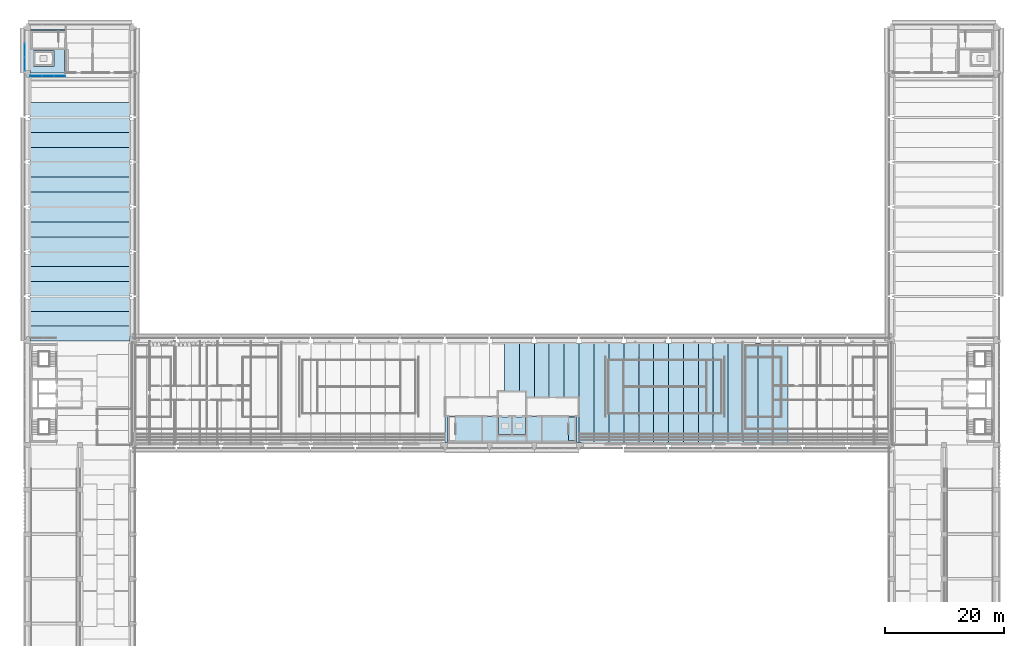
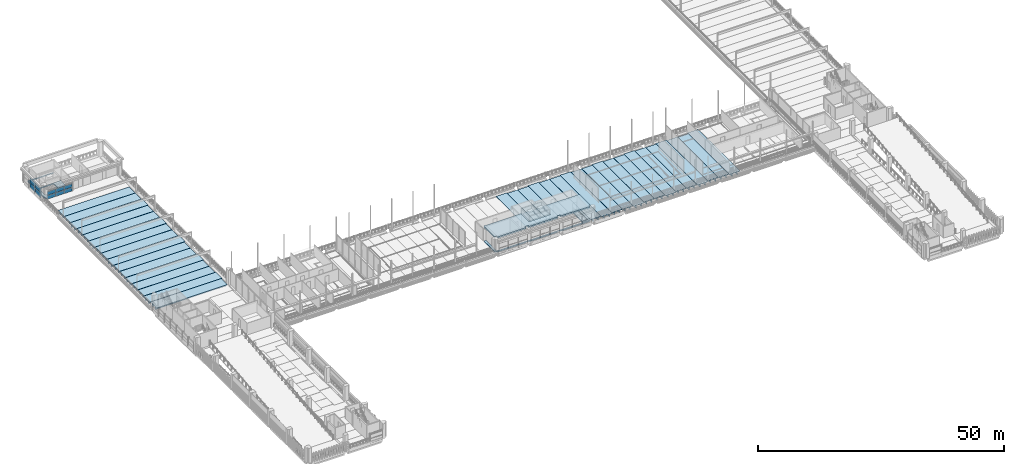
# One storey, part 36 of 62: 41 slabs, 10 plates, 2 elements without a shape of their own.
"""IFC4 building model written with IfcOpenShell, lengths in metres."""

from ifc_helpers import new_model, si_unit, direction, frame, origin, origin_2d, place, context, subcontext, project, spatial, polyline, rectangle, outline, extrude, material, layer, layer_set, material_profile, profile_set, type_object, element, aggregate, save


model = new_model("IFC4")

# Units and contexts
model_context = context("Model", 3, precision=1e-05, world=origin(), true_north=direction((0.0, 1.0)))
body_context = subcontext(model_context, "Body", "Model", "MODEL_VIEW")
ifc_project = project(units=[si_unit("LENGTHUNIT", "METRE"), si_unit("AREAUNIT", "SQUARE_METRE"), si_unit("VOLUMEUNIT", "CUBIC_METRE"), si_unit("PLANEANGLEUNIT", "RADIAN"), si_unit("MASSUNIT", "GRAM", prefix="KILO")], contexts=[model_context])

# Site, building, storey
site_placement = place(None, origin())
site = spatial("IfcSite", under=ifc_project, at=site_placement, CompositionType="ELEMENT")
building_placement = place(site_placement, origin())
building = spatial("IfcBuilding", under=site, at=building_placement, Name="Cour d'Honneur Mobility Palace", CompositionType="ELEMENT")
storey_placement = place(building_placement, frame((0.0, 0.0, 19.300048828125)))
storey = spatial("IfcBuildingStorey", under=building, at=storey_placement, Name="L05", CompositionType="ELEMENT", Elevation=19.300048828125)

# Slabs
ifc_material_1 = material(Name="Concrete C50", Category="concrete")
ifc_layer_1 = layer(ifc_material_1, 0.25)
ifc_layer_set_1 = layer_set([ifc_layer_1], Name="Concrete C50")
slab_type_1 = type_object("IfcSlabType", Name="Cast-in-place Slab 250", PredefinedType="FLOOR", material=ifc_layer_set_1)
slab_1_placement = place(storey_placement, frame((0.0, 0.0, -0.25)))
element("IfcSlab", 1, at=slab_1_placement, inside=storey, type_object=slab_type_1, Name="Cast-in-place slab S1 L05 core", PredefinedType="FLOOR", context=body_context, shape_type="SweptSolid", body=[
    extrude(outline(polyline([(0.449951171875, 114.449951171875), (0.449951171875, 111.27490234375), (6.10009765625, 111.27490234375), (6.10009765625, 107.39990234375), (0.39990234375, 107.39990234375), (0.39990234375, 107.800048828125), (0.199951171875, 107.800048828125), (0.199951171875, 114.5), (0.39990234375, 114.5), (0.39990234375, 114.625), (6.300048828125, 114.625), (6.300048828125, 114.449951171875), (0.449951171875, 114.449951171875)]), holes=[polyline([(0.875, 111.125), (0.875, 108.47509765625), (4.324951171875, 108.47509765625), (4.324951171875, 111.125), (0.875, 111.125)])]), origin(), (0.0, 0.0, 1.0), 0.25),
])
slab_2_placement = place(storey_placement, frame((0.0, 0.0, -0.25)))
element("IfcSlab", 2, at=slab_2_placement, inside=storey, type_object=slab_type_1, Name="Cast-in-place slab S1 L05 core", PredefinedType="FLOOR", context=body_context, shape_type="SweptSolid", body=[
    extrude(outline(polyline([(92.0, 45.39990234375), (92.0, 45.199951171875), (85.300048828125, 45.199951171875), (85.300048828125, 45.39990234375), (84.5, 45.39990234375), (84.5, 45.199951171875), (77.800048828125, 45.199951171875), (77.800048828125, 45.39990234375), (77.0, 45.39990234375), (77.0, 45.199951171875), (70.300048828125, 45.199951171875), (70.300048828125, 45.39990234375), (69.89990234375, 45.39990234375), (69.89990234375, 49.800048828125), (70.35009765625, 49.800048828125), (70.35009765625, 45.449951171875), (91.949951171875, 45.449951171875), (91.949951171875, 49.800048828125), (92.39990234375, 49.800048828125), (92.39990234375, 45.39990234375), (92.0, 45.39990234375)])), origin(), (0.0, 0.0, 1.0), 0.25),
])
slab_3_placement = place(storey_placement, frame((0.0, 0.0, -0.25)))
element("IfcSlab", 3, at=slab_3_placement, inside=storey, type_object=slab_type_1, Name="Cast-in-place slab S1 L05 core", PredefinedType="FLOOR", context=body_context, shape_type="SweptSolid", body=[
    extrude(outline(polyline([(91.699951171875, 45.699951171875), (90.625, 45.699951171875), (90.625, 49.675048828125), (91.699951171875, 49.675048828125), (91.699951171875, 45.699951171875)])), origin(), (0.0, 0.0, 1.0), 0.25),
])

# Curtain wall, plates
ifc_material_2 = material(Name="Aluminium and glass", Category="aluminium")
ifc_layer_2 = layer(ifc_material_2, 0.10009765625)
ifc_layer_set_2 = layer_set([ifc_layer_2], Name="Aluminium and glass")
curtain_wall_type = type_object("IfcCurtainWallType", Name="Curtain wall run", PredefinedType="NOTDEFINED", material=ifc_layer_set_2)
curtain_wall_1_placement = place(storey_placement, origin())
curtain_wall_1 = element("IfcCurtainWall", 4, at=curtain_wall_1_placement, inside=storey, type_object=curtain_wall_type, Name="Curtain wall CW-133", PredefinedType="NOTDEFINED")
ifc_material_3 = material(Name="Double glazing", Category="glass")
ifc_layer_3 = layer(ifc_material_3, 0.028076171875)
ifc_layer_set_3 = layer_set([ifc_layer_3], Name="Double glazing")
plate_type = type_object("IfcPlateType", Name="Curtain wall panel", PredefinedType="CURTAIN_PANEL", material=ifc_layer_set_3)
plate_1_placement = place(storey_placement, frame((-0.550048828125, 111.14990234375, 0.06005859375), z_axis=(0.0, 0.0, 1.0), x_axis=(0.0, -1.0, 0.0)))
plate_1 = element("IfcPlate", 5, at=plate_1_placement, type_object=plate_type, Name="CW-133 panel 2.1", PredefinedType="CURTAIN_PANEL", context=body_context, shape_type="SweptSolid", body=[
    extrude(rectangle(XDim=2.239990234375, YDim=0.028076171875, at=origin_2d()), origin(), (0.0, 0.0, 1.0), 1.2099609375),
])
plate_2_placement = place(storey_placement, frame((-0.550048828125, 111.14990234375, 1.330078125), z_axis=(0.0, 0.0, 1.0), x_axis=(0.0, -1.0, 0.0)))
plate_2 = element("IfcPlate", 6, at=plate_2_placement, type_object=plate_type, Name="CW-133 panel 2.2", PredefinedType="CURTAIN_PANEL", context=body_context, shape_type="SweptSolid", body=[
    extrude(rectangle(XDim=2.239990234375, YDim=0.028076171875, at=origin_2d()), origin(), (0.0, 0.0, 1.0), 1.2099609375),
])
plate_3_placement = place(storey_placement, frame((-0.550048828125, 108.864990234375, 0.06005859375), z_axis=(0.0, 0.0, 1.0), x_axis=(0.0, -1.0, 0.0)))
plate_3 = element("IfcPlate", 7, at=plate_3_placement, type_object=plate_type, Name="CW-133 panel 3.1", PredefinedType="CURTAIN_PANEL", context=body_context, shape_type="SweptSolid", body=[
    extrude(rectangle(XDim=2.2099609375, YDim=0.028076171875, at=origin_2d()), origin(), (0.0, 0.0, 1.0), 1.2099609375),
])
plate_4_placement = place(storey_placement, frame((-0.550048828125, 108.864990234375, 1.330078125), z_axis=(0.0, 0.0, 1.0), x_axis=(0.0, -1.0, 0.0)))
plate_4 = element("IfcPlate", 8, at=plate_4_placement, type_object=plate_type, Name="CW-133 panel 3.2", PredefinedType="CURTAIN_PANEL", context=body_context, shape_type="SweptSolid", body=[
    extrude(rectangle(XDim=2.2099609375, YDim=0.028076171875, at=origin_2d()), origin(), (0.0, 0.0, 1.0), 1.2099609375),
])
aggregate(curtain_wall_1, [plate_1, plate_2, plate_3, plate_4])

curtain_wall_2_placement = place(storey_placement, origin())
curtain_wall_2 = element("IfcCurtainWall", 9, at=curtain_wall_2_placement, inside=storey, type_object=curtain_wall_type, Name="Curtain wall CW-134", PredefinedType="NOTDEFINED")
plate_5_placement = place(storey_placement, frame((1.31494140625, 106.85009765625, 0.06005859375), z_axis=(0.0, 0.0, 1.0), x_axis=(1.0, 0.0, 0.0)))
plate_5 = element("IfcPlate", 10, at=plate_5_placement, type_object=plate_type, Name="CW-134 panel 1.1", PredefinedType="CURTAIN_PANEL", context=body_context, shape_type="SweptSolid", body=[
    extrude(rectangle(XDim=1.909912109375, YDim=0.028076171875, at=origin_2d()), origin(), (0.0, 0.0, 1.0), 0.909912109375),
])
plate_6_placement = place(storey_placement, frame((1.31494140625, 106.85009765625, 1.02978515625), z_axis=(0.0, 0.0, 1.0), x_axis=(1.0, 0.0, 0.0)))
plate_6 = element("IfcPlate", 11, at=plate_6_placement, type_object=plate_type, Name="CW-134 panel 1.2", PredefinedType="CURTAIN_PANEL", context=body_context, shape_type="SweptSolid", body=[
    extrude(rectangle(XDim=1.909912109375, YDim=0.028076171875, at=origin_2d()), origin(), (0.0, 0.0, 1.0), 0.909912109375),
])
plate_7_placement = place(storey_placement, frame((3.300048828125, 106.85009765625, 0.06005859375), z_axis=(0.0, 0.0, 1.0), x_axis=(1.0, 0.0, 0.0)))
plate_7 = element("IfcPlate", 12, at=plate_7_placement, type_object=plate_type, Name="CW-134 panel 2.1", PredefinedType="CURTAIN_PANEL", context=body_context, shape_type="SweptSolid", body=[
    extrude(rectangle(XDim=1.93994140625, YDim=0.028076171875, at=origin_2d()), origin(), (0.0, 0.0, 1.0), 0.909912109375),
])
plate_8_placement = place(storey_placement, frame((3.300048828125, 106.85009765625, 1.02978515625), z_axis=(0.0, 0.0, 1.0), x_axis=(1.0, 0.0, 0.0)))
plate_8 = element("IfcPlate", 13, at=plate_8_placement, type_object=plate_type, Name="CW-134 panel 2.2", PredefinedType="CURTAIN_PANEL", context=body_context, shape_type="SweptSolid", body=[
    extrude(rectangle(XDim=1.93994140625, YDim=0.028076171875, at=origin_2d()), origin(), (0.0, 0.0, 1.0), 0.909912109375),
])
plate_9_placement = place(storey_placement, frame((5.284912109375, 106.85009765625, 0.06005859375), z_axis=(0.0, 0.0, 1.0), x_axis=(1.0, 0.0, 0.0)))
plate_9 = element("IfcPlate", 14, at=plate_9_placement, type_object=plate_type, Name="CW-134 panel 3.1", PredefinedType="CURTAIN_PANEL", context=body_context, shape_type="SweptSolid", body=[
    extrude(rectangle(XDim=1.909912109375, YDim=0.028076171875, at=origin_2d()), origin(), (0.0, 0.0, 1.0), 0.909912109375),
])
plate_10_placement = place(storey_placement, frame((5.284912109375, 106.85009765625, 1.02978515625), z_axis=(0.0, 0.0, 1.0), x_axis=(1.0, 0.0, 0.0)))
plate_10 = element("IfcPlate", 15, at=plate_10_placement, type_object=plate_type, Name="CW-134 panel 3.2", PredefinedType="CURTAIN_PANEL", context=body_context, shape_type="SweptSolid", body=[
    extrude(rectangle(XDim=1.909912109375, YDim=0.028076171875, at=origin_2d()), origin(), (0.0, 0.0, 1.0), 0.909912109375),
])
aggregate(curtain_wall_2, [plate_5, plate_6, plate_7, plate_8, plate_9, plate_10])

# Slabs
ifc_material_4 = material(Name="Concrete C45", Category="concrete")
ifc_material_profile_1 = material_profile(ifc_material_4, outline(polyline([(-1.2451171875, 0.0), (1.2451171875, 0.0), (1.2451171875, -0.10009765625), (0.679931640625, -0.10009765625), (0.64990234375, -0.64990234375), (0.550048828125, -0.64990234375), (0.52001953125, -0.10009765625), (-0.52001953125, -0.10009765625), (-0.550048828125, -0.64990234375), (-0.64990234375, -0.64990234375), (-0.679931640625, -0.10009765625), (-1.2451171875, -0.10009765625), (-1.2451171875, 0.0)])), Name="DT 2490x650")
ifc_profile_set_1 = profile_set([ifc_material_profile_1], Name="Concrete C45")
slab_type_2 = type_object("IfcSlabType", Name="DT 2490x650", PredefinedType="FLOOR", material=ifc_profile_set_1)
slab_4_placement = place(storey_placement, frame((81.14990234375, 49.925048828125, 0.0), z_axis=(0.0, 1.0, 0.0), x_axis=(-1.0, 0.0, 0.0)))
element("IfcSlab", 16, at=slab_4_placement, inside=storey, type_object=slab_type_2, Name="Double tee DT-C26 L05", PredefinedType="FLOOR", context=body_context, shape_type="SweptSolid", body=[
    extrude(outline(polyline([(-1.2451171875, 0.0), (1.2451171875, 0.0), (1.2451171875, -0.10009765625), (0.679931640625, -0.10009765625), (0.64990234375, -0.64990234375), (0.550048828125, -0.64990234375), (0.52001953125, -0.10009765625), (-0.52001953125, -0.10009765625), (-0.550048828125, -0.64990234375), (-0.64990234375, -0.64990234375), (-0.679931640625, -0.10009765625), (-1.2451171875, -0.10009765625), (-1.2451171875, 0.0)])), origin(), (0.0, 0.0, 1.0), 12.27490234375),
])
for number, where, z_axis, x_axis, name in (
    (17, (83.64990234375, 49.925048828125, 0.0), (0.0, 1.0, 0.0), (-1.0, 0.0, 0.0), "Double tee DT-C27 L05"),
    (18, (86.14990234375, 49.925048828125, 0.0), (0.0, 1.0, 0.0), (-1.0, 0.0, 0.0), "Double tee DT-C28 L05"),
):
    element("IfcSlab", number, at=place(storey_placement, frame(where, z_axis=z_axis, x_axis=x_axis)), inside=storey, type_object=slab_type_2, Name=name, PredefinedType="FLOOR", context=body_context, shape_type="SweptSolid", body=[
        extrude(outline(polyline([(-1.2451171875, 0.0), (1.2451171875, 0.0), (1.2451171875, -0.10009765625), (0.679931640625, -0.10009765625), (0.64990234375, -0.64990234375), (0.550048828125, -0.64990234375), (0.52001953125, -0.10009765625), (-0.52001953125, -0.10009765625), (-0.550048828125, -0.64990234375), (-0.64990234375, -0.64990234375), (-0.679931640625, -0.10009765625), (-1.2451171875, -0.10009765625), (-1.2451171875, 0.0)])), origin(), (0.0, 0.0, 1.0), 12.074951171875),
    ])
slab_5_placement = place(storey_placement, frame((88.64990234375, 49.925048828125, 0.0), z_axis=(0.0, 1.0, 0.0), x_axis=(-1.0, 0.0, 0.0)))
element("IfcSlab", 19, at=slab_5_placement, inside=storey, type_object=slab_type_2, Name="Double tee DT-C29 L05", PredefinedType="FLOOR", context=body_context, shape_type="SweptSolid", body=[
    extrude(outline(polyline([(-1.2451171875, 0.0), (1.2451171875, 0.0), (1.2451171875, -0.10009765625), (0.679931640625, -0.10009765625), (0.64990234375, -0.64990234375), (0.550048828125, -0.64990234375), (0.52001953125, -0.10009765625), (-0.52001953125, -0.10009765625), (-0.550048828125, -0.64990234375), (-0.64990234375, -0.64990234375), (-0.679931640625, -0.10009765625), (-1.2451171875, -0.10009765625), (-1.2451171875, 0.0)])), origin(), (0.0, 0.0, 1.0), 12.27490234375),
])
slab_6_placement = place(storey_placement, frame((91.14990234375, 49.925048828125, 0.0), z_axis=(0.0, 1.0, 0.0), x_axis=(-1.0, 0.0, 0.0)))
element("IfcSlab", 20, at=slab_6_placement, inside=storey, type_object=slab_type_2, Name="Double tee DT-C30 L05", PredefinedType="FLOOR", context=body_context, shape_type="SweptSolid", body=[
    extrude(outline(polyline([(-1.2451171875, 0.0), (1.2451171875, 0.0), (1.2451171875, -0.10009765625), (0.679931640625, -0.10009765625), (0.64990234375, -0.64990234375), (0.550048828125, -0.64990234375), (0.52001953125, -0.10009765625), (-0.52001953125, -0.10009765625), (-0.550048828125, -0.64990234375), (-0.64990234375, -0.64990234375), (-0.679931640625, -0.10009765625), (-1.2451171875, -0.10009765625), (-1.2451171875, 0.0)])), origin(), (0.0, 0.0, 1.0), 12.074951171875),
])
ifc_material_5 = material(Name="Concrete C45", Category="concrete")
ifc_material_profile_2 = material_profile(ifc_material_5, outline(polyline([(-1.2451171875, 0.0), (1.2451171875, 0.0), (1.2451171875, -0.10009765625), (0.679931640625, -0.10009765625), (0.64990234375, -0.75), (0.550048828125, -0.75), (0.52001953125, -0.10009765625), (-0.52001953125, -0.10009765625), (-0.550048828125, -0.75), (-0.64990234375, -0.75), (-0.679931640625, -0.10009765625), (-1.2451171875, -0.10009765625), (-1.2451171875, 0.0)])), Name="DT 2490x750")
ifc_profile_set_2 = profile_set([ifc_material_profile_2], Name="Concrete C45")
slab_type_3 = type_object("IfcSlabType", Name="DT 2490x750", PredefinedType="FLOOR", material=ifc_profile_set_2)
slab_7_placement = place(storey_placement, frame((0.39990234375, 63.64990234375, 0.0), z_axis=(1.0, 0.0, 0.0), x_axis=(0.0, 1.0, 0.0)))
element("IfcSlab", 21, at=slab_7_placement, inside=storey, type_object=slab_type_3, Name="Double tee DT-NW1 L05", PredefinedType="FLOOR", context=body_context, shape_type="SweptSolid", body=[
    extrude(outline(polyline([(-1.2451171875, 0.0), (1.2451171875, 0.0), (1.2451171875, -0.10009765625), (0.679931640625, -0.10009765625), (0.64990234375, -0.75), (0.550048828125, -0.75), (0.52001953125, -0.10009765625), (-0.52001953125, -0.10009765625), (-0.550048828125, -0.75), (-0.64990234375, -0.75), (-0.679931640625, -0.10009765625), (-1.2451171875, -0.10009765625), (-1.2451171875, 0.0)])), origin(), (0.0, 0.0, 1.0), 16.60009765625),
])
slab_8_placement = place(storey_placement, frame((0.199951171875, 66.14990234375, 0.0), z_axis=(1.0, 0.0, 0.0), x_axis=(0.0, 1.0, 0.0)))
element("IfcSlab", 22, at=slab_8_placement, inside=storey, type_object=slab_type_3, Name="Double tee DT-NW2 L05", PredefinedType="FLOOR", context=body_context, shape_type="SweptSolid", body=[
    extrude(outline(polyline([(-1.2451171875, 0.0), (1.2451171875, 0.0), (1.2451171875, -0.10009765625), (0.679931640625, -0.10009765625), (0.64990234375, -0.75), (0.550048828125, -0.75), (0.52001953125, -0.10009765625), (-0.52001953125, -0.10009765625), (-0.550048828125, -0.75), (-0.64990234375, -0.75), (-0.679931640625, -0.10009765625), (-1.2451171875, -0.10009765625), (-1.2451171875, 0.0)])), origin(), (0.0, 0.0, 1.0), 17.0),
])
for number, where, z_axis, x_axis, name in (
    (23, (0.39990234375, 68.64990234375, 0.0), (1.0, 0.0, 0.0), (0.0, 1.0, 0.0), "Double tee DT-NW3 L05"),
    (24, (0.39990234375, 71.14990234375, 0.0), (1.0, 0.0, 0.0), (0.0, 1.0, 0.0), "Double tee DT-NW4 L05"),
):
    element("IfcSlab", number, at=place(storey_placement, frame(where, z_axis=z_axis, x_axis=x_axis)), inside=storey, type_object=slab_type_3, Name=name, PredefinedType="FLOOR", context=body_context, shape_type="SweptSolid", body=[
        extrude(outline(polyline([(-1.2451171875, 0.0), (1.2451171875, 0.0), (1.2451171875, -0.10009765625), (0.679931640625, -0.10009765625), (0.64990234375, -0.75), (0.550048828125, -0.75), (0.52001953125, -0.10009765625), (-0.52001953125, -0.10009765625), (-0.550048828125, -0.75), (-0.64990234375, -0.75), (-0.679931640625, -0.10009765625), (-1.2451171875, -0.10009765625), (-1.2451171875, 0.0)])), origin(), (0.0, 0.0, 1.0), 16.60009765625),
    ])
slab_9_placement = place(storey_placement, frame((0.199951171875, 73.64990234375, 0.0), z_axis=(1.0, 0.0, 0.0), x_axis=(0.0, 1.0, 0.0)))
element("IfcSlab", 25, at=slab_9_placement, inside=storey, type_object=slab_type_3, Name="Double tee DT-NW5 L05", PredefinedType="FLOOR", context=body_context, shape_type="SweptSolid", body=[
    extrude(outline(polyline([(-1.2451171875, 0.0), (1.2451171875, 0.0), (1.2451171875, -0.10009765625), (0.679931640625, -0.10009765625), (0.64990234375, -0.75), (0.550048828125, -0.75), (0.52001953125, -0.10009765625), (-0.52001953125, -0.10009765625), (-0.550048828125, -0.75), (-0.64990234375, -0.75), (-0.679931640625, -0.10009765625), (-1.2451171875, -0.10009765625), (-1.2451171875, 0.0)])), origin(), (0.0, 0.0, 1.0), 17.0),
])
for number, where, z_axis, x_axis, name in (
    (26, (0.39990234375, 76.14990234375, 0.0), (1.0, 0.0, 0.0), (0.0, 1.0, 0.0), "Double tee DT-NW6 L05"),
    (27, (0.39990234375, 78.64990234375, 0.0), (1.0, 0.0, 0.0), (0.0, 1.0, 0.0), "Double tee DT-NW7 L05"),
):
    element("IfcSlab", number, at=place(storey_placement, frame(where, z_axis=z_axis, x_axis=x_axis)), inside=storey, type_object=slab_type_3, Name=name, PredefinedType="FLOOR", context=body_context, shape_type="SweptSolid", body=[
        extrude(outline(polyline([(-1.2451171875, 0.0), (1.2451171875, 0.0), (1.2451171875, -0.10009765625), (0.679931640625, -0.10009765625), (0.64990234375, -0.75), (0.550048828125, -0.75), (0.52001953125, -0.10009765625), (-0.52001953125, -0.10009765625), (-0.550048828125, -0.75), (-0.64990234375, -0.75), (-0.679931640625, -0.10009765625), (-1.2451171875, -0.10009765625), (-1.2451171875, 0.0)])), origin(), (0.0, 0.0, 1.0), 16.60009765625),
    ])
slab_10_placement = place(storey_placement, frame((0.199951171875, 81.14990234375, 0.0), z_axis=(1.0, 0.0, 0.0), x_axis=(0.0, 1.0, 0.0)))
element("IfcSlab", 28, at=slab_10_placement, inside=storey, type_object=slab_type_3, Name="Double tee DT-NW8 L05", PredefinedType="FLOOR", context=body_context, shape_type="SweptSolid", body=[
    extrude(outline(polyline([(-1.2451171875, 0.0), (1.2451171875, 0.0), (1.2451171875, -0.10009765625), (0.679931640625, -0.10009765625), (0.64990234375, -0.75), (0.550048828125, -0.75), (0.52001953125, -0.10009765625), (-0.52001953125, -0.10009765625), (-0.550048828125, -0.75), (-0.64990234375, -0.75), (-0.679931640625, -0.10009765625), (-1.2451171875, -0.10009765625), (-1.2451171875, 0.0)])), origin(), (0.0, 0.0, 1.0), 17.0),
])
for number, where, z_axis, x_axis, name in (
    (29, (0.39990234375, 83.64990234375, 0.0), (1.0, 0.0, 0.0), (0.0, 1.0, 0.0), "Double tee DT-NW9 L05"),
    (30, (0.39990234375, 86.14990234375, 0.0), (1.0, 0.0, 0.0), (0.0, 1.0, 0.0), "Double tee DT-NW10 L05"),
):
    element("IfcSlab", number, at=place(storey_placement, frame(where, z_axis=z_axis, x_axis=x_axis)), inside=storey, type_object=slab_type_3, Name=name, PredefinedType="FLOOR", context=body_context, shape_type="SweptSolid", body=[
        extrude(outline(polyline([(-1.2451171875, 0.0), (1.2451171875, 0.0), (1.2451171875, -0.10009765625), (0.679931640625, -0.10009765625), (0.64990234375, -0.75), (0.550048828125, -0.75), (0.52001953125, -0.10009765625), (-0.52001953125, -0.10009765625), (-0.550048828125, -0.75), (-0.64990234375, -0.75), (-0.679931640625, -0.10009765625), (-1.2451171875, -0.10009765625), (-1.2451171875, 0.0)])), origin(), (0.0, 0.0, 1.0), 16.60009765625),
    ])
slab_11_placement = place(storey_placement, frame((0.199951171875, 88.64990234375, 0.0), z_axis=(1.0, 0.0, 0.0), x_axis=(0.0, 1.0, 0.0)))
element("IfcSlab", 31, at=slab_11_placement, inside=storey, type_object=slab_type_3, Name="Double tee DT-NW11 L05", PredefinedType="FLOOR", context=body_context, shape_type="SweptSolid", body=[
    extrude(outline(polyline([(-1.2451171875, 0.0), (1.2451171875, 0.0), (1.2451171875, -0.10009765625), (0.679931640625, -0.10009765625), (0.64990234375, -0.75), (0.550048828125, -0.75), (0.52001953125, -0.10009765625), (-0.52001953125, -0.10009765625), (-0.550048828125, -0.75), (-0.64990234375, -0.75), (-0.679931640625, -0.10009765625), (-1.2451171875, -0.10009765625), (-1.2451171875, 0.0)])), origin(), (0.0, 0.0, 1.0), 17.0),
])
for number, where, z_axis, x_axis, name in (
    (32, (0.39990234375, 91.14990234375, 0.0), (1.0, 0.0, 0.0), (0.0, 1.0, 0.0), "Double tee DT-NW12 L05"),
    (33, (0.39990234375, 93.64990234375, 0.0), (1.0, 0.0, 0.0), (0.0, 1.0, 0.0), "Double tee DT-NW13 L05"),
):
    element("IfcSlab", number, at=place(storey_placement, frame(where, z_axis=z_axis, x_axis=x_axis)), inside=storey, type_object=slab_type_3, Name=name, PredefinedType="FLOOR", context=body_context, shape_type="SweptSolid", body=[
        extrude(outline(polyline([(-1.2451171875, 0.0), (1.2451171875, 0.0), (1.2451171875, -0.10009765625), (0.679931640625, -0.10009765625), (0.64990234375, -0.75), (0.550048828125, -0.75), (0.52001953125, -0.10009765625), (-0.52001953125, -0.10009765625), (-0.550048828125, -0.75), (-0.64990234375, -0.75), (-0.679931640625, -0.10009765625), (-1.2451171875, -0.10009765625), (-1.2451171875, 0.0)])), origin(), (0.0, 0.0, 1.0), 16.60009765625),
    ])
slab_12_placement = place(storey_placement, frame((0.199951171875, 96.14990234375, 0.0), z_axis=(1.0, 0.0, 0.0), x_axis=(0.0, 1.0, 0.0)))
element("IfcSlab", 34, at=slab_12_placement, inside=storey, type_object=slab_type_3, Name="Double tee DT-NW14 L05", PredefinedType="FLOOR", context=body_context, shape_type="SweptSolid", body=[
    extrude(outline(polyline([(-1.2451171875, 0.0), (1.2451171875, 0.0), (1.2451171875, -0.10009765625), (0.679931640625, -0.10009765625), (0.64990234375, -0.75), (0.550048828125, -0.75), (0.52001953125, -0.10009765625), (-0.52001953125, -0.10009765625), (-0.550048828125, -0.75), (-0.64990234375, -0.75), (-0.679931640625, -0.10009765625), (-1.2451171875, -0.10009765625), (-1.2451171875, 0.0)])), origin(), (0.0, 0.0, 1.0), 17.0),
])
for number, where, z_axis, x_axis, name in (
    (35, (0.39990234375, 98.64990234375, 0.0), (1.0, 0.0, 0.0), (0.0, 1.0, 0.0), "Double tee DT-NW15 L05"),
    (36, (0.39990234375, 101.14990234375, 0.0), (1.0, 0.0, 0.0), (0.0, 1.0, 0.0), "Double tee DT-NW16 L05"),
    (37, (93.64990234375, 45.39990234375, 0.0), (0.0, 1.0, 0.0), (-1.0, 0.0, 0.0), "Double tee DT-C31 L05"),
):
    element("IfcSlab", number, at=place(storey_placement, frame(where, z_axis=z_axis, x_axis=x_axis)), inside=storey, type_object=slab_type_3, Name=name, PredefinedType="FLOOR", context=body_context, shape_type="SweptSolid", body=[
        extrude(outline(polyline([(-1.2451171875, 0.0), (1.2451171875, 0.0), (1.2451171875, -0.10009765625), (0.679931640625, -0.10009765625), (0.64990234375, -0.75), (0.550048828125, -0.75), (0.52001953125, -0.10009765625), (-0.52001953125, -0.10009765625), (-0.550048828125, -0.75), (-0.64990234375, -0.75), (-0.679931640625, -0.10009765625), (-1.2451171875, -0.10009765625), (-1.2451171875, 0.0)])), origin(), (0.0, 0.0, 1.0), 16.60009765625),
    ])
slab_13_placement = place(storey_placement, frame((96.14990234375, 45.199951171875, 0.0), z_axis=(0.0, 1.0, 0.0), x_axis=(-1.0, 0.0, 0.0)))
element("IfcSlab", 38, at=slab_13_placement, inside=storey, type_object=slab_type_3, Name="Double tee DT-C32 L05", PredefinedType="FLOOR", context=body_context, shape_type="SweptSolid", body=[
    extrude(outline(polyline([(-1.2451171875, 0.0), (1.2451171875, 0.0), (1.2451171875, -0.10009765625), (0.679931640625, -0.10009765625), (0.64990234375, -0.75), (0.550048828125, -0.75), (0.52001953125, -0.10009765625), (-0.52001953125, -0.10009765625), (-0.550048828125, -0.75), (-0.64990234375, -0.75), (-0.679931640625, -0.10009765625), (-1.2451171875, -0.10009765625), (-1.2451171875, 0.0)])), origin(), (0.0, 0.0, 1.0), 17.0),
])
for number, where, z_axis, x_axis, name in (
    (39, (98.64990234375, 45.39990234375, 0.0), (0.0, 1.0, 0.0), (-1.0, 0.0, 0.0), "Double tee DT-C33 L05"),
    (40, (101.14990234375, 45.39990234375, 0.0), (0.0, 1.0, 0.0), (-1.0, 0.0, 0.0), "Double tee DT-C34 L05"),
):
    element("IfcSlab", number, at=place(storey_placement, frame(where, z_axis=z_axis, x_axis=x_axis)), inside=storey, type_object=slab_type_3, Name=name, PredefinedType="FLOOR", context=body_context, shape_type="SweptSolid", body=[
        extrude(outline(polyline([(-1.2451171875, 0.0), (1.2451171875, 0.0), (1.2451171875, -0.10009765625), (0.679931640625, -0.10009765625), (0.64990234375, -0.75), (0.550048828125, -0.75), (0.52001953125, -0.10009765625), (-0.52001953125, -0.10009765625), (-0.550048828125, -0.75), (-0.64990234375, -0.75), (-0.679931640625, -0.10009765625), (-1.2451171875, -0.10009765625), (-1.2451171875, 0.0)])), origin(), (0.0, 0.0, 1.0), 16.60009765625),
    ])
slab_14_placement = place(storey_placement, frame((103.64990234375, 45.199951171875, 0.0), z_axis=(0.0, 1.0, 0.0), x_axis=(-1.0, 0.0, 0.0)))
element("IfcSlab", 41, at=slab_14_placement, inside=storey, type_object=slab_type_3, Name="Double tee DT-C35 L05", PredefinedType="FLOOR", context=body_context, shape_type="SweptSolid", body=[
    extrude(outline(polyline([(-1.2451171875, 0.0), (1.2451171875, 0.0), (1.2451171875, -0.10009765625), (0.679931640625, -0.10009765625), (0.64990234375, -0.75), (0.550048828125, -0.75), (0.52001953125, -0.10009765625), (-0.52001953125, -0.10009765625), (-0.550048828125, -0.75), (-0.64990234375, -0.75), (-0.679931640625, -0.10009765625), (-1.2451171875, -0.10009765625), (-1.2451171875, 0.0)])), origin(), (0.0, 0.0, 1.0), 17.0),
])
for number, where, z_axis, x_axis, name in (
    (42, (106.14990234375, 45.39990234375, 0.0), (0.0, 1.0, 0.0), (-1.0, 0.0, 0.0), "Double tee DT-C36 L05"),
    (43, (108.64990234375, 45.39990234375, 0.0), (0.0, 1.0, 0.0), (-1.0, 0.0, 0.0), "Double tee DT-C37 L05"),
):
    element("IfcSlab", number, at=place(storey_placement, frame(where, z_axis=z_axis, x_axis=x_axis)), inside=storey, type_object=slab_type_3, Name=name, PredefinedType="FLOOR", context=body_context, shape_type="SweptSolid", body=[
        extrude(outline(polyline([(-1.2451171875, 0.0), (1.2451171875, 0.0), (1.2451171875, -0.10009765625), (0.679931640625, -0.10009765625), (0.64990234375, -0.75), (0.550048828125, -0.75), (0.52001953125, -0.10009765625), (-0.52001953125, -0.10009765625), (-0.550048828125, -0.75), (-0.64990234375, -0.75), (-0.679931640625, -0.10009765625), (-1.2451171875, -0.10009765625), (-1.2451171875, 0.0)])), origin(), (0.0, 0.0, 1.0), 16.60009765625),
    ])
slab_15_placement = place(storey_placement, frame((111.14990234375, 45.199951171875, 0.0), z_axis=(0.0, 1.0, 0.0), x_axis=(-1.0, 0.0, 0.0)))
element("IfcSlab", 44, at=slab_15_placement, inside=storey, type_object=slab_type_3, Name="Double tee DT-C38 L05", PredefinedType="FLOOR", context=body_context, shape_type="SweptSolid", body=[
    extrude(outline(polyline([(-1.2451171875, 0.0), (1.2451171875, 0.0), (1.2451171875, -0.10009765625), (0.679931640625, -0.10009765625), (0.64990234375, -0.75), (0.550048828125, -0.75), (0.52001953125, -0.10009765625), (-0.52001953125, -0.10009765625), (-0.550048828125, -0.75), (-0.64990234375, -0.75), (-0.679931640625, -0.10009765625), (-1.2451171875, -0.10009765625), (-1.2451171875, 0.0)])), origin(), (0.0, 0.0, 1.0), 17.0),
])
for number, where, z_axis, x_axis, name in (
    (45, (113.64990234375, 45.39990234375, 0.0), (0.0, 1.0, 0.0), (-1.0, 0.0, 0.0), "Double tee DT-C39 L05"),
    (46, (116.14990234375, 45.39990234375, 0.0), (0.0, 1.0, 0.0), (-1.0, 0.0, 0.0), "Double tee DT-C40 L05"),
):
    element("IfcSlab", number, at=place(storey_placement, frame(where, z_axis=z_axis, x_axis=x_axis)), inside=storey, type_object=slab_type_3, Name=name, PredefinedType="FLOOR", context=body_context, shape_type="SweptSolid", body=[
        extrude(outline(polyline([(-1.2451171875, 0.0), (1.2451171875, 0.0), (1.2451171875, -0.10009765625), (0.679931640625, -0.10009765625), (0.64990234375, -0.75), (0.550048828125, -0.75), (0.52001953125, -0.10009765625), (-0.52001953125, -0.10009765625), (-0.550048828125, -0.75), (-0.64990234375, -0.75), (-0.679931640625, -0.10009765625), (-1.2451171875, -0.10009765625), (-1.2451171875, 0.0)])), origin(), (0.0, 0.0, 1.0), 16.60009765625),
    ])
slab_16_placement = place(storey_placement, frame((118.64990234375, 45.199951171875, 0.0), z_axis=(0.0, 1.0, 0.0), x_axis=(-1.0, 0.0, 0.0)))
element("IfcSlab", 47, at=slab_16_placement, inside=storey, type_object=slab_type_3, Name="Double tee DT-C41 L05", PredefinedType="FLOOR", context=body_context, shape_type="SweptSolid", body=[
    extrude(outline(polyline([(-1.2451171875, 0.0), (1.2451171875, 0.0), (1.2451171875, -0.10009765625), (0.679931640625, -0.10009765625), (0.64990234375, -0.75), (0.550048828125, -0.75), (0.52001953125, -0.10009765625), (-0.52001953125, -0.10009765625), (-0.550048828125, -0.75), (-0.64990234375, -0.75), (-0.679931640625, -0.10009765625), (-1.2451171875, -0.10009765625), (-1.2451171875, 0.0)])), origin(), (0.0, 0.0, 1.0), 17.0),
])
for number, where, z_axis, x_axis, name in (
    (48, (121.14990234375, 45.39990234375, 0.0), (0.0, 1.0, 0.0), (-1.0, 0.0, 0.0), "Double tee DT-C42 L05"),
    (49, (123.64990234375, 45.39990234375, 0.0), (0.0, 1.0, 0.0), (-1.0, 0.0, 0.0), "Double tee DT-C43 L05"),
):
    element("IfcSlab", number, at=place(storey_placement, frame(where, z_axis=z_axis, x_axis=x_axis)), inside=storey, type_object=slab_type_3, Name=name, PredefinedType="FLOOR", context=body_context, shape_type="SweptSolid", body=[
        extrude(outline(polyline([(-1.2451171875, 0.0), (1.2451171875, 0.0), (1.2451171875, -0.10009765625), (0.679931640625, -0.10009765625), (0.64990234375, -0.75), (0.550048828125, -0.75), (0.52001953125, -0.10009765625), (-0.52001953125, -0.10009765625), (-0.550048828125, -0.75), (-0.64990234375, -0.75), (-0.679931640625, -0.10009765625), (-1.2451171875, -0.10009765625), (-1.2451171875, 0.0)])), origin(), (0.0, 0.0, 1.0), 16.60009765625),
    ])
slab_17_placement = place(storey_placement, frame((126.14990234375, 45.199951171875, 0.0), z_axis=(0.0, 1.0, 0.0), x_axis=(-1.0, 0.0, 0.0)))
element("IfcSlab", 50, at=slab_17_placement, inside=storey, type_object=slab_type_3, Name="Double tee DT-C44 L05", PredefinedType="FLOOR", context=body_context, shape_type="SweptSolid", body=[
    extrude(outline(polyline([(-1.2451171875, 0.0), (1.2451171875, 0.0), (1.2451171875, -0.10009765625), (0.679931640625, -0.10009765625), (0.64990234375, -0.75), (0.550048828125, -0.75), (0.52001953125, -0.10009765625), (-0.52001953125, -0.10009765625), (-0.550048828125, -0.75), (-0.64990234375, -0.75), (-0.679931640625, -0.10009765625), (-1.2451171875, -0.10009765625), (-1.2451171875, 0.0)])), origin(), (0.0, 0.0, 1.0), 17.0),
])
ifc_material_6 = material(Name="Concrete C50", Category="concrete")
ifc_layer_4 = layer(ifc_material_6, 0.35009765625)
ifc_layer_set_4 = layer_set([ifc_layer_4], Name="Concrete C50")
slab_type_4 = type_object("IfcSlabType", Name="Roof Slab 350", PredefinedType="ROOF", material=ifc_layer_set_4)
slab_18_placement = place(storey_placement, frame((0.0, 0.0, 3.349853515625)))
element("IfcSlab", 51, at=slab_18_placement, inside=storey, type_object=slab_type_4, Name="Pavilion roof slab CCP", PredefinedType="ROOF", context=body_context, shape_type="SweptSolid", body=[
    extrude(outline(polyline([(92.39990234375, 45.39990234375), (92.0, 45.39990234375), (92.0, 45.0), (85.300048828125, 45.0), (85.300048828125, 45.39990234375), (84.5, 45.39990234375), (84.5, 45.0), (77.800048828125, 45.0), (77.800048828125, 45.39990234375), (77.0, 45.39990234375), (77.0, 45.0), (70.300048828125, 45.0), (70.300048828125, 45.39990234375), (69.89990234375, 45.39990234375), (69.89990234375, 49.800048828125), (78.75, 49.800048828125), (78.75, 49.675048828125), (78.625, 49.675048828125), (78.625, 46.60009765625), (78.875, 46.60009765625), (78.875, 46.47509765625), (83.425048828125, 46.47509765625), (83.425048828125, 46.60009765625), (83.675048828125, 46.60009765625), (83.675048828125, 49.675048828125), (83.550048828125, 49.675048828125), (83.550048828125, 49.800048828125), (92.39990234375, 49.800048828125), (92.39990234375, 45.39990234375)])), origin(), (0.0, 0.0, 1.0), 0.35009765625),
])
slab_19_placement = place(storey_placement, frame((0.0, 0.0, 3.349853515625)))
element("IfcSlab", 52, at=slab_19_placement, inside=storey, type_object=slab_type_4, Name="Pavilion roof slab CCP", PredefinedType="ROOF", context=body_context, shape_type="SweptSolid", body=[
    extrude(outline(polyline([(83.425048828125, 49.675048828125), (83.425048828125, 46.72509765625), (81.27490234375, 46.72509765625), (81.27490234375, 49.675048828125), (83.425048828125, 49.675048828125)])), origin(), (0.0, 0.0, 1.0), 0.35009765625),
])
slab_20_placement = place(storey_placement, frame((0.0, 0.0, 3.349853515625)))
element("IfcSlab", 53, at=slab_20_placement, inside=storey, type_object=slab_type_4, Name="Pavilion roof slab CCP", PredefinedType="ROOF", context=body_context, shape_type="SweptSolid", body=[
    extrude(outline(polyline([(78.875, 49.675048828125), (81.02490234375, 49.675048828125), (81.02490234375, 46.72509765625), (78.875, 46.72509765625), (78.875, 49.675048828125)])), origin(), (0.0, 0.0, 1.0), 0.35009765625),
])

save(model, "model.ifc")
